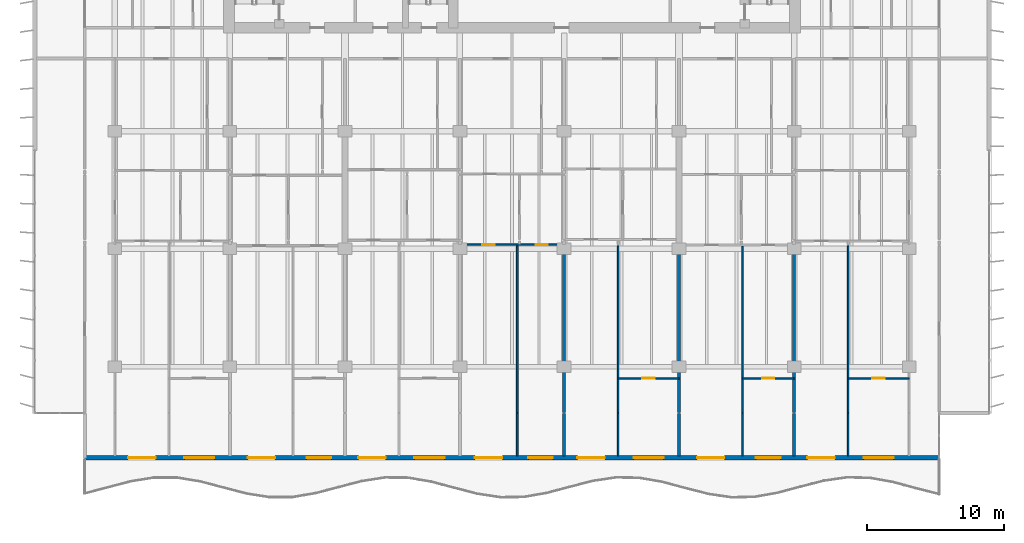
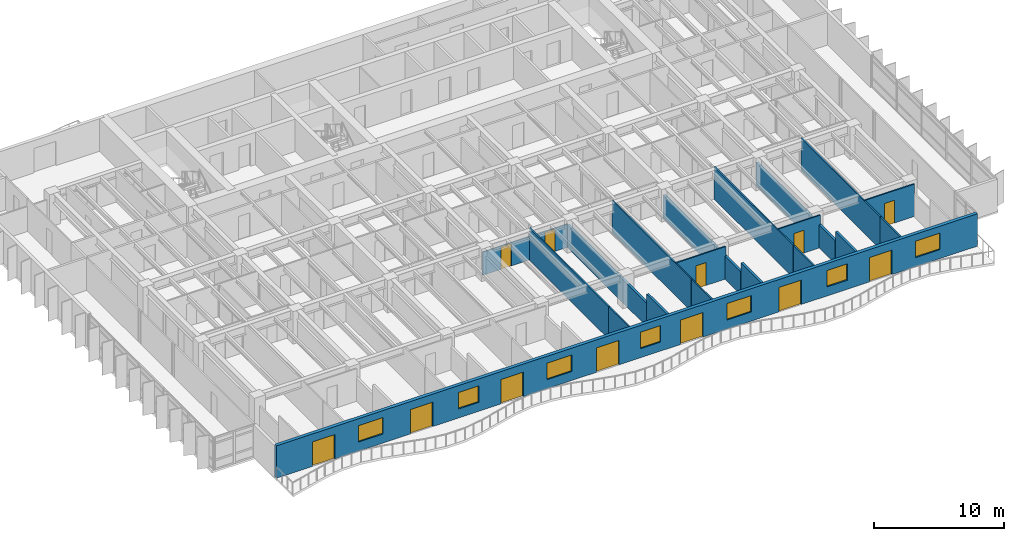
# One storey, part 8 of 18: 19 walls, 12 doors, 7 windows, 19 openings.
"""IFC4 building model written with IfcOpenShell, lengths in metres."""

from ifc_helpers import new_model, si_unit, direction, frame, frame_2d, origin, place, context, subcontext, project, spatial, rectangle, extrude, material, layer, layer_set, type_object, element, fill, save


model = new_model("IFC4")

# Units and contexts
model_context = context("Model", 3, precision=1e-05, world=origin(), true_north=direction((0.0, 1.0)))
body_context = subcontext(model_context, "Body", "Model", "MODEL_VIEW")
ifc_project = project(units=[si_unit("LENGTHUNIT", "METRE"), si_unit("AREAUNIT", "SQUARE_METRE"), si_unit("VOLUMEUNIT", "CUBIC_METRE"), si_unit("PLANEANGLEUNIT", "RADIAN"), si_unit("MASSUNIT", "GRAM", prefix="KILO")], contexts=[model_context])

# Site, building, storey
site_placement = place(None, origin())
site = spatial("IfcSite", under=ifc_project, at=site_placement, CompositionType="ELEMENT")
building_placement = place(site_placement, origin())
building = spatial("IfcBuilding", under=site, at=building_placement, Name="Caelmar Bay Residences", CompositionType="ELEMENT")
storey_placement = place(building_placement, frame((0.0, 0.0, 122.39990234375)))
storey = spatial("IfcBuildingStorey", under=building, at=storey_placement, Name="L33", CompositionType="ELEMENT", Elevation=122.39990234375)

# Wall, openings, doors, windows
ifc_material_1 = material(Name="Precast concrete f'c 40 MPa (6,000 psi)", Category="concrete")
ifc_layer_1 = layer(ifc_material_1, 0.300048828125)
ifc_layer_set_1 = layer_set([ifc_layer_1], Name="Precast concrete f'c 40 MPa (6,000 psi)")
wall_type_1 = type_object("IfcWallType", Name="W-EXT-300", PredefinedType="STANDARD", material=ifc_layer_set_1)
wall_1_placement = place(storey_placement, frame((70.10009765625, 5.550048828125, 0.0), z_axis=(0.0, 0.0, 1.0), x_axis=(-1.0, 0.0, 0.0)))
wall_1 = element("IfcWall", 1, at=wall_1_placement, inside=storey, type_object=wall_type_1, Name="L33 South Bayfront Exterior Wall", PredefinedType="STANDARD", context=body_context, shape_type="SweptSolid", body=[
    extrude(rectangle(XDim=62.400146484375, YDim=0.300048828125, at=frame_2d((31.2001953125, 0.0))), origin(), (0.0, 0.0, 1.0), 3.050048828125),
])
opening_1_placement = place(wall_1_placement, frame((57.22607421875, 0.0, 0.0)))
opening_1 = element("IfcOpeningElement", 2, at=opening_1_placement, cuts=wall_1, Name="Opening L33-BD01", PredefinedType="OPENING", context=body_context, shape_type="SweptSolid", body=[
    extrude(rectangle(XDim=2.0, YDim=2.300048828125, at=frame_2d((1.0, 1.14990234375))), frame((0.0, 0.159912109375, 0.0), z_axis=(0.0, -1.0, 0.0), x_axis=(1.0, 0.0, 0.0)), (0.0, 0.0, 1.0), 0.320068359375),
])
opening_2_placement = place(wall_1_placement, frame((52.926025390625, 0.0, 0.85009765625)))
opening_2 = element("IfcOpeningElement", 3, at=opening_2_placement, cuts=wall_1, Name="Opening WN2", PredefinedType="OPENING", context=body_context, shape_type="SweptSolid", body=[
    extrude(rectangle(XDim=2.199951171875, YDim=1.550048828125, at=frame_2d((1.10009765625, 0.77490234375))), frame((0.0, 0.159912109375, 0.0), z_axis=(0.0, -1.0, 0.0), x_axis=(1.0, 0.0, 0.0)), (0.0, 0.0, 1.0), 0.320068359375),
])
opening_3_placement = place(wall_1_placement, frame((48.489990234375, 0.0, 0.0)))
opening_3 = element("IfcOpeningElement", 4, at=opening_3_placement, cuts=wall_1, Name="Opening L33-BD02", PredefinedType="OPENING", context=body_context, shape_type="SweptSolid", body=[
    extrude(rectangle(XDim=2.0, YDim=2.300048828125, at=frame_2d((1.0, 1.14990234375))), frame((0.0, 0.159912109375, 0.0), z_axis=(0.0, -1.0, 0.0), x_axis=(1.0, 0.0, 0.0)), (0.0, 0.0, 1.0), 0.320068359375),
])
opening_4_placement = place(wall_1_placement, frame((44.389892578125, 0.0, 0.85009765625)))
opening_4 = element("IfcOpeningElement", 5, at=opening_4_placement, cuts=wall_1, Name="Opening WN1", PredefinedType="OPENING", context=body_context, shape_type="SweptSolid", body=[
    extrude(rectangle(XDim=1.800048828125, YDim=1.550048828125, at=frame_2d((0.89990234375, 0.77490234375))), frame((0.0, 0.159912109375, 0.0), z_axis=(0.0, -1.0, 0.0), x_axis=(1.0, 0.0, 0.0)), (0.0, 0.0, 1.0), 0.320068359375),
])
opening_5_placement = place(wall_1_placement, frame((40.426025390625, 0.0, 0.0)))
opening_5 = element("IfcOpeningElement", 6, at=opening_5_placement, cuts=wall_1, Name="Opening L33-BD03", PredefinedType="OPENING", context=body_context, shape_type="SweptSolid", body=[
    extrude(rectangle(XDim=2.0, YDim=2.300048828125, at=frame_2d((1.0, 1.14990234375))), frame((0.0, 0.159912109375, 0.0), z_axis=(0.0, -1.0, 0.0), x_axis=(1.0, 0.0, 0.0)), (0.0, 0.0, 1.0), 0.320068359375),
])
opening_6_placement = place(wall_1_placement, frame((36.1259765625, 0.0, 0.85009765625)))
opening_6 = element("IfcOpeningElement", 7, at=opening_6_placement, cuts=wall_1, Name="Opening WN2", PredefinedType="OPENING", context=body_context, shape_type="SweptSolid", body=[
    extrude(rectangle(XDim=2.199951171875, YDim=1.550048828125, at=frame_2d((1.10009765625, 0.77490234375))), frame((0.0, 0.159912109375, 0.0), z_axis=(0.0, -1.0, 0.0), x_axis=(1.0, 0.0, 0.0)), (0.0, 0.0, 1.0), 0.320068359375),
])
opening_7_placement = place(wall_1_placement, frame((31.909912109375, 0.0, 0.0)))
opening_7 = element("IfcOpeningElement", 8, at=opening_7_placement, cuts=wall_1, Name="Opening L33-BD04", PredefinedType="OPENING", context=body_context, shape_type="SweptSolid", body=[
    extrude(rectangle(XDim=2.0, YDim=2.300048828125, at=frame_2d((1.0, 1.14990234375))), frame((0.0, 0.159912109375, 0.0), z_axis=(0.0, -1.0, 0.0), x_axis=(1.0, 0.0, 0.0)), (0.0, 0.0, 1.0), 0.320068359375),
])
opening_8_placement = place(wall_1_placement, frame((28.2099609375, 0.0, 0.85009765625)))
opening_8 = element("IfcOpeningElement", 9, at=opening_8_placement, cuts=wall_1, Name="Opening WN1", PredefinedType="OPENING", context=body_context, shape_type="SweptSolid", body=[
    extrude(rectangle(XDim=1.800048828125, YDim=1.550048828125, at=frame_2d((0.89990234375, 0.77490234375))), frame((0.0, 0.159912109375, 0.0), z_axis=(0.0, -1.0, 0.0), x_axis=(1.0, 0.0, 0.0)), (0.0, 0.0, 1.0), 0.320068359375),
])
opening_9_placement = place(wall_1_placement, frame((24.426025390625, 0.0, 0.0)))
opening_9 = element("IfcOpeningElement", 10, at=opening_9_placement, cuts=wall_1, Name="Opening L33-BD05", PredefinedType="OPENING", context=body_context, shape_type="SweptSolid", body=[
    extrude(rectangle(XDim=2.0, YDim=2.300048828125, at=frame_2d((1.0, 1.14990234375))), frame((0.0, 0.159912109375, 0.0), z_axis=(0.0, -1.0, 0.0), x_axis=(1.0, 0.0, 0.0)), (0.0, 0.0, 1.0), 0.320068359375),
])
opening_10_placement = place(wall_1_placement, frame((20.1259765625, 0.0, 0.85009765625)))
opening_10 = element("IfcOpeningElement", 11, at=opening_10_placement, cuts=wall_1, Name="Opening WN2", PredefinedType="OPENING", context=body_context, shape_type="SweptSolid", body=[
    extrude(rectangle(XDim=2.199951171875, YDim=1.550048828125, at=frame_2d((1.10009765625, 0.77490234375))), frame((0.0, 0.159912109375, 0.0), z_axis=(0.0, -1.0, 0.0), x_axis=(1.0, 0.0, 0.0)), (0.0, 0.0, 1.0), 0.320068359375),
])
opening_11_placement = place(wall_1_placement, frame((15.68994140625, 0.0, 0.0)))
opening_11 = element("IfcOpeningElement", 12, at=opening_11_placement, cuts=wall_1, Name="Opening L33-BD06", PredefinedType="OPENING", context=body_context, shape_type="SweptSolid", body=[
    extrude(rectangle(XDim=2.0, YDim=2.300048828125, at=frame_2d((1.0, 1.14990234375))), frame((0.0, 0.159912109375, 0.0), z_axis=(0.0, -1.0, 0.0), x_axis=(1.0, 0.0, 0.0)), (0.0, 0.0, 1.0), 0.320068359375),
])
opening_12_placement = place(wall_1_placement, frame((11.590087890625, 0.0, 0.85009765625)))
opening_12 = element("IfcOpeningElement", 13, at=opening_12_placement, cuts=wall_1, Name="Opening WN1", PredefinedType="OPENING", context=body_context, shape_type="SweptSolid", body=[
    extrude(rectangle(XDim=1.800048828125, YDim=1.550048828125, at=frame_2d((0.89990234375, 0.77490234375))), frame((0.0, 0.159912109375, 0.0), z_axis=(0.0, -1.0, 0.0), x_axis=(1.0, 0.0, 0.0)), (0.0, 0.0, 1.0), 0.320068359375),
])
opening_13_placement = place(wall_1_placement, frame((7.6259765625, 0.0, 0.0)))
opening_13 = element("IfcOpeningElement", 14, at=opening_13_placement, cuts=wall_1, Name="Opening L33-BD07", PredefinedType="OPENING", context=body_context, shape_type="SweptSolid", body=[
    extrude(rectangle(XDim=2.0, YDim=2.300048828125, at=frame_2d((1.0, 1.14990234375))), frame((0.0, 0.159912109375, 0.0), z_axis=(0.0, -1.0, 0.0), x_axis=(1.0, 0.0, 0.0)), (0.0, 0.0, 1.0), 0.320068359375),
])
opening_14_placement = place(wall_1_placement, frame((3.325927734375, 0.0, 0.85009765625)))
opening_14 = element("IfcOpeningElement", 15, at=opening_14_placement, cuts=wall_1, Name="Opening WN2", PredefinedType="OPENING", context=body_context, shape_type="SweptSolid", body=[
    extrude(rectangle(XDim=2.199951171875, YDim=1.550048828125, at=frame_2d((1.10009765625, 0.77490234375))), frame((0.0, 0.159912109375, 0.0), z_axis=(0.0, -1.0, 0.0), x_axis=(1.0, 0.0, 0.0)), (0.0, 0.0, 1.0), 0.320068359375),
])
ifc_material_2 = material(Name="Anodised bronze thermally broken sliding glass door", Category="glass")
ifc_layer_2 = layer(ifc_material_2, 0.050048828125)
ifc_layer_set_2 = layer_set([ifc_layer_2], Name="Anodised bronze thermally broken sliding glass door")
door_type_1 = type_object("IfcDoorType", Name="D-BAL-2000", OperationType="DOUBLE_DOOR_SLIDING", PredefinedType="DOOR", material=ifc_layer_set_2)
door_1_placement = place(opening_1_placement, origin())
door_1 = element("IfcDoor", 16, at=door_1_placement, inside=storey, type_object=door_type_1, Name="L33 Residence 01 Living Room Balcony Door", OperationType="DOUBLE_DOOR_SLIDING", OverallHeight=2.300048828125, OverallWidth=2.0, PredefinedType="DOOR", context=body_context, shape_type="SweptSolid", body=[
    extrude(rectangle(XDim=2.0, YDim=2.300048828125, at=frame_2d((1.0, 1.14990234375))), frame((0.0, 0.02490234375, 0.0), z_axis=(0.0, -1.0, 0.0), x_axis=(1.0, 0.0, 0.0)), (0.0, 0.0, 1.0), 0.050048828125),
])
fill(opening_1, door_1)
door_2_placement = place(opening_3_placement, origin())
door_2 = element("IfcDoor", 17, at=door_2_placement, inside=storey, type_object=door_type_1, Name="L33 Residence 02 Living Room Balcony Door", OperationType="DOUBLE_DOOR_SLIDING", OverallHeight=2.300048828125, OverallWidth=2.0, PredefinedType="DOOR", context=body_context, shape_type="SweptSolid", body=[
    extrude(rectangle(XDim=2.0, YDim=2.300048828125, at=frame_2d((1.0, 1.14990234375))), frame((0.0, 0.02490234375, 0.0), z_axis=(0.0, -1.0, 0.0), x_axis=(1.0, 0.0, 0.0)), (0.0, 0.0, 1.0), 0.050048828125),
])
fill(opening_3, door_2)
door_3_placement = place(opening_5_placement, origin())
door_3 = element("IfcDoor", 18, at=door_3_placement, inside=storey, type_object=door_type_1, Name="L33 Residence 03 Living Room Balcony Door", OperationType="DOUBLE_DOOR_SLIDING", OverallHeight=2.300048828125, OverallWidth=2.0, PredefinedType="DOOR", context=body_context, shape_type="SweptSolid", body=[
    extrude(rectangle(XDim=2.0, YDim=2.300048828125, at=frame_2d((1.0, 1.14990234375))), frame((0.0, 0.02490234375, 0.0), z_axis=(0.0, -1.0, 0.0), x_axis=(1.0, 0.0, 0.0)), (0.0, 0.0, 1.0), 0.050048828125),
])
fill(opening_5, door_3)
door_4_placement = place(opening_7_placement, origin())
door_4 = element("IfcDoor", 19, at=door_4_placement, inside=storey, type_object=door_type_1, Name="L33 Residence 04 Living Room Balcony Door", OperationType="DOUBLE_DOOR_SLIDING", OverallHeight=2.300048828125, OverallWidth=2.0, PredefinedType="DOOR", context=body_context, shape_type="SweptSolid", body=[
    extrude(rectangle(XDim=2.0, YDim=2.300048828125, at=frame_2d((1.0, 1.14990234375))), frame((0.0, 0.02490234375, 0.0), z_axis=(0.0, -1.0, 0.0), x_axis=(1.0, 0.0, 0.0)), (0.0, 0.0, 1.0), 0.050048828125),
])
fill(opening_7, door_4)
door_5_placement = place(opening_9_placement, origin())
door_5 = element("IfcDoor", 20, at=door_5_placement, inside=storey, type_object=door_type_1, Name="L33 Residence 05 Living Room Balcony Door", OperationType="DOUBLE_DOOR_SLIDING", OverallHeight=2.300048828125, OverallWidth=2.0, PredefinedType="DOOR", context=body_context, shape_type="SweptSolid", body=[
    extrude(rectangle(XDim=2.0, YDim=2.300048828125, at=frame_2d((1.0, 1.14990234375))), frame((0.0, 0.02490234375, 0.0), z_axis=(0.0, -1.0, 0.0), x_axis=(1.0, 0.0, 0.0)), (0.0, 0.0, 1.0), 0.050048828125),
])
fill(opening_9, door_5)
door_6_placement = place(opening_11_placement, origin())
door_6 = element("IfcDoor", 21, at=door_6_placement, inside=storey, type_object=door_type_1, Name="L33 Residence 06 Living Room Balcony Door", OperationType="DOUBLE_DOOR_SLIDING", OverallHeight=2.300048828125, OverallWidth=2.0, PredefinedType="DOOR", context=body_context, shape_type="SweptSolid", body=[
    extrude(rectangle(XDim=2.0, YDim=2.300048828125, at=frame_2d((1.0, 1.14990234375))), frame((0.0, 0.02490234375, 0.0), z_axis=(0.0, -1.0, 0.0), x_axis=(1.0, 0.0, 0.0)), (0.0, 0.0, 1.0), 0.050048828125),
])
fill(opening_11, door_6)
door_7_placement = place(opening_13_placement, origin())
door_7 = element("IfcDoor", 22, at=door_7_placement, inside=storey, type_object=door_type_1, Name="L33 Residence 07 Living Room Balcony Door", OperationType="DOUBLE_DOOR_SLIDING", OverallHeight=2.300048828125, OverallWidth=2.0, PredefinedType="DOOR", context=body_context, shape_type="SweptSolid", body=[
    extrude(rectangle(XDim=2.0, YDim=2.300048828125, at=frame_2d((1.0, 1.14990234375))), frame((0.0, 0.02490234375, 0.0), z_axis=(0.0, -1.0, 0.0), x_axis=(1.0, 0.0, 0.0)), (0.0, 0.0, 1.0), 0.050048828125),
])
fill(opening_13, door_7)
ifc_material_3 = material(Name="Bronze aluminium frame with laminated low-E glass", Category="aluminium")
ifc_layer_3 = layer(ifc_material_3, 0.06005859375)
ifc_layer_set_3 = layer_set([ifc_layer_3], Name="Bronze aluminium frame with laminated low-E glass")
window_type_1 = type_object("IfcWindowType", Name="WIN-BR-1800", PartitioningType="SINGLE_PANEL", PredefinedType="WINDOW", material=ifc_layer_set_3)
window_1_placement = place(opening_4_placement, origin())
window_1 = element("IfcWindow", 23, at=window_1_placement, inside=storey, type_object=window_type_1, Name="L33 Residence 02 Primary Bedroom Window", OverallHeight=1.550048828125, OverallWidth=1.800048828125, PartitioningType="SINGLE_PANEL", PredefinedType="WINDOW", context=body_context, shape_type="SweptSolid", body=[
    extrude(rectangle(XDim=1.800048828125, YDim=1.550048828125, at=frame_2d((0.89990234375, 0.77490234375))), frame((0.0, 0.030029296875, 0.0), z_axis=(0.0, -1.0, 0.0), x_axis=(1.0, 0.0, 0.0)), (0.0, 0.0, 1.0), 0.06005859375),
])
fill(opening_4, window_1)
window_2_placement = place(opening_8_placement, origin())
window_2 = element("IfcWindow", 24, at=window_2_placement, inside=storey, type_object=window_type_1, Name="L33 Residence 04 Primary Bedroom Window", OverallHeight=1.550048828125, OverallWidth=1.800048828125, PartitioningType="SINGLE_PANEL", PredefinedType="WINDOW", context=body_context, shape_type="SweptSolid", body=[
    extrude(rectangle(XDim=1.800048828125, YDim=1.550048828125, at=frame_2d((0.89990234375, 0.77490234375))), frame((0.0, 0.030029296875, 0.0), z_axis=(0.0, -1.0, 0.0), x_axis=(1.0, 0.0, 0.0)), (0.0, 0.0, 1.0), 0.06005859375),
])
fill(opening_8, window_2)
window_3_placement = place(opening_12_placement, origin())
window_3 = element("IfcWindow", 25, at=window_3_placement, inside=storey, type_object=window_type_1, Name="L33 Residence 06 Primary Bedroom Window", OverallHeight=1.550048828125, OverallWidth=1.800048828125, PartitioningType="SINGLE_PANEL", PredefinedType="WINDOW", context=body_context, shape_type="SweptSolid", body=[
    extrude(rectangle(XDim=1.800048828125, YDim=1.550048828125, at=frame_2d((0.89990234375, 0.77490234375))), frame((0.0, 0.030029296875, 0.0), z_axis=(0.0, -1.0, 0.0), x_axis=(1.0, 0.0, 0.0)), (0.0, 0.0, 1.0), 0.06005859375),
])
fill(opening_12, window_3)
ifc_layer_4 = layer(ifc_material_3, 0.06005859375)
ifc_layer_set_4 = layer_set([ifc_layer_4], Name="Bronze aluminium frame with laminated low-E glass")
window_type_2 = type_object("IfcWindowType", Name="WIN-BR-2200", PartitioningType="SINGLE_PANEL", PredefinedType="WINDOW", material=ifc_layer_set_4)
window_4_placement = place(opening_2_placement, origin())
window_4 = element("IfcWindow", 26, at=window_4_placement, inside=storey, type_object=window_type_2, Name="L33 Residence 01 Primary Bedroom Window", OverallHeight=1.550048828125, OverallWidth=2.199951171875, PartitioningType="SINGLE_PANEL", PredefinedType="WINDOW", context=body_context, shape_type="SweptSolid", body=[
    extrude(rectangle(XDim=2.199951171875, YDim=1.550048828125, at=frame_2d((1.10009765625, 0.77490234375))), frame((0.0, 0.030029296875, 0.0), z_axis=(0.0, -1.0, 0.0), x_axis=(1.0, 0.0, 0.0)), (0.0, 0.0, 1.0), 0.06005859375),
])
fill(opening_2, window_4)
window_5_placement = place(opening_6_placement, origin())
window_5 = element("IfcWindow", 27, at=window_5_placement, inside=storey, type_object=window_type_2, Name="L33 Residence 03 Primary Bedroom Window", OverallHeight=1.550048828125, OverallWidth=2.199951171875, PartitioningType="SINGLE_PANEL", PredefinedType="WINDOW", context=body_context, shape_type="SweptSolid", body=[
    extrude(rectangle(XDim=2.199951171875, YDim=1.550048828125, at=frame_2d((1.10009765625, 0.77490234375))), frame((0.0, 0.030029296875, 0.0), z_axis=(0.0, -1.0, 0.0), x_axis=(1.0, 0.0, 0.0)), (0.0, 0.0, 1.0), 0.06005859375),
])
fill(opening_6, window_5)
window_6_placement = place(opening_10_placement, origin())
window_6 = element("IfcWindow", 28, at=window_6_placement, inside=storey, type_object=window_type_2, Name="L33 Residence 05 Primary Bedroom Window", OverallHeight=1.550048828125, OverallWidth=2.199951171875, PartitioningType="SINGLE_PANEL", PredefinedType="WINDOW", context=body_context, shape_type="SweptSolid", body=[
    extrude(rectangle(XDim=2.199951171875, YDim=1.550048828125, at=frame_2d((1.10009765625, 0.77490234375))), frame((0.0, 0.030029296875, 0.0), z_axis=(0.0, -1.0, 0.0), x_axis=(1.0, 0.0, 0.0)), (0.0, 0.0, 1.0), 0.06005859375),
])
fill(opening_10, window_6)
window_7_placement = place(opening_14_placement, origin())
window_7 = element("IfcWindow", 29, at=window_7_placement, inside=storey, type_object=window_type_2, Name="L33 Residence 07 Primary Bedroom Window", OverallHeight=1.550048828125, OverallWidth=2.199951171875, PartitioningType="SINGLE_PANEL", PredefinedType="WINDOW", context=body_context, shape_type="SweptSolid", body=[
    extrude(rectangle(XDim=2.199951171875, YDim=1.550048828125, at=frame_2d((1.10009765625, 0.77490234375))), frame((0.0, 0.030029296875, 0.0), z_axis=(0.0, -1.0, 0.0), x_axis=(1.0, 0.0, 0.0)), (0.0, 0.0, 1.0), 0.06005859375),
])
fill(opening_14, window_7)

# Walls
ifc_material_4 = material(Name="Acoustic metal-stud gypsum partition 120 mm")
ifc_layer_5 = layer(ifc_material_4, 0.1201171875)
ifc_layer_set_5 = layer_set([ifc_layer_5], Name="Acoustic metal-stud gypsum partition 120 mm")
wall_type_2 = type_object("IfcWallType", Name="W-PRT-120", PredefinedType="PARTITIONING", material=ifc_layer_set_5)
wall_2_placement = place(storey_placement, frame((39.280029296875, 5.695068359375, 0.0), z_axis=(0.0, 0.0, 1.0), x_axis=(0.0, 1.0, 0.0)))
element("IfcWall", 30, at=wall_2_placement, inside=storey, type_object=wall_type_2, Name="L33 Partition Wall V056", PredefinedType="PARTITIONING", context=body_context, shape_type="SweptSolid", body=[
    extrude(rectangle(XDim=3.10498046875, YDim=0.1201171875, at=frame_2d((1.552490234375, 0.0))), origin(), (0.0, 0.0, 1.0), 3.050048828125),
])
wall_3_placement = place(storey_placement, frame((39.280029296875, 8.840087890625, 0.0), z_axis=(0.0, 0.0, 1.0), x_axis=(0.0, 1.0, 0.0)))
element("IfcWall", 31, at=wall_3_placement, inside=storey, type_object=wall_type_2, Name="L33 Partition Wall V057", PredefinedType="PARTITIONING", context=body_context, shape_type="SweptSolid", body=[
    extrude(rectangle(XDim=12.18994140625, YDim=0.1201171875, at=frame_2d((6.094970703125, 0.0))), origin(), (0.0, 0.0, 1.0), 3.050048828125),
])
wall_4_placement = place(storey_placement, frame((46.64794921875, 5.695068359375, 0.0), z_axis=(0.0, 0.0, 1.0), x_axis=(0.0, 1.0, 0.0)))
element("IfcWall", 32, at=wall_4_placement, inside=storey, type_object=wall_type_2, Name="L33 Partition Wall V072", PredefinedType="PARTITIONING", context=body_context, shape_type="SweptSolid", body=[
    extrude(rectangle(XDim=3.10498046875, YDim=0.1201171875, at=frame_2d((1.552490234375, 0.0))), origin(), (0.0, 0.0, 1.0), 3.050048828125),
])
wall_5_placement = place(storey_placement, frame((46.64794921875, 8.840087890625, 0.0), z_axis=(0.0, 0.0, 1.0), x_axis=(0.0, 1.0, 0.0)))
element("IfcWall", 33, at=wall_5_placement, inside=storey, type_object=wall_type_2, Name="L33 Partition Wall V073", PredefinedType="PARTITIONING", context=body_context, shape_type="SweptSolid", body=[
    extrude(rectangle(XDim=12.18994140625, YDim=0.1201171875, at=frame_2d((6.094970703125, 0.0))), origin(), (0.0, 0.0, 1.0), 3.050048828125),
])
wall_6_placement = place(storey_placement, frame((55.719970703125, 5.695068359375, 0.0), z_axis=(0.0, 0.0, 1.0), x_axis=(0.0, 1.0, 0.0)))
element("IfcWall", 34, at=wall_6_placement, inside=storey, type_object=wall_type_2, Name="L33 Partition Wall V088", PredefinedType="PARTITIONING", context=body_context, shape_type="SweptSolid", body=[
    extrude(rectangle(XDim=3.10498046875, YDim=0.1201171875, at=frame_2d((1.552490234375, 0.0))), origin(), (0.0, 0.0, 1.0), 3.050048828125),
])
wall_7_placement = place(storey_placement, frame((55.719970703125, 8.840087890625, 0.0), z_axis=(0.0, 0.0, 1.0), x_axis=(0.0, 1.0, 0.0)))
element("IfcWall", 35, at=wall_7_placement, inside=storey, type_object=wall_type_2, Name="L33 Partition Wall V089", PredefinedType="PARTITIONING", context=body_context, shape_type="SweptSolid", body=[
    extrude(rectangle(XDim=12.18994140625, YDim=0.1201171875, at=frame_2d((6.094970703125, 0.0))), origin(), (0.0, 0.0, 1.0), 3.050048828125),
])
wall_8_placement = place(storey_placement, frame((63.447998046875, 5.695068359375, 0.0), z_axis=(0.0, 0.0, 1.0), x_axis=(0.0, 1.0, 0.0)))
element("IfcWall", 36, at=wall_8_placement, inside=storey, type_object=wall_type_2, Name="L33 Partition Wall V100", PredefinedType="PARTITIONING", context=body_context, shape_type="SweptSolid", body=[
    extrude(rectangle(XDim=3.10498046875, YDim=0.1201171875, at=frame_2d((1.552490234375, 0.0))), origin(), (0.0, 0.0, 1.0), 3.050048828125),
])
wall_9_placement = place(storey_placement, frame((63.447998046875, 8.840087890625, 0.0), z_axis=(0.0, 0.0, 1.0), x_axis=(0.0, 1.0, 0.0)))
element("IfcWall", 37, at=wall_9_placement, inside=storey, type_object=wall_type_2, Name="L33 Partition Wall V101", PredefinedType="PARTITIONING", context=body_context, shape_type="SweptSolid", body=[
    extrude(rectangle(XDim=12.18994140625, YDim=0.1201171875, at=frame_2d((6.094970703125, 0.0))), origin(), (0.0, 0.0, 1.0), 3.050048828125),
])

# Wall, opening, door
wall_10_placement = place(storey_placement, frame((46.64794921875, 11.35009765625, 0.0), z_axis=(0.0, 0.0, 1.0), x_axis=(1.0, 0.0, 0.0)))
wall_10 = element("IfcWall", 38, at=wall_10_placement, inside=storey, type_object=wall_type_2, Name="L33 Partition Wall H124", PredefinedType="PARTITIONING", context=body_context, shape_type="SweptSolid", body=[
    extrude(rectangle(XDim=4.4521484375, YDim=0.1201171875, at=frame_2d((2.22607421875, 0.0))), origin(), (0.0, 0.0, 1.0), 3.050048828125),
])
opening_15_placement = place(wall_10_placement, frame((1.77587890625, 0.0, 0.0)))
opening_15 = element("IfcOpeningElement", 39, at=opening_15_placement, cuts=wall_10, Name="Opening D-L33-156", PredefinedType="OPENING", context=body_context, shape_type="SweptSolid", body=[
    extrude(rectangle(XDim=0.89990234375, YDim=2.14990234375, at=frame_2d((0.449951171875, 1.074951171875))), frame((0.0, 0.070068359375, 0.0), z_axis=(0.0, -1.0, 0.0), x_axis=(1.0, 0.0, 0.0)), (0.0, 0.0, 1.0), 0.14013671875),
])
ifc_material_5 = material(Name="Solid walnut timber interior door leaf and frame", Category="wood")
ifc_layer_6 = layer(ifc_material_5, 0.050048828125)
ifc_layer_set_6 = layer_set([ifc_layer_6], Name="Solid walnut timber interior door leaf and frame")
door_type_2 = type_object("IfcDoorType", Name="D-ROOM-900", OperationType="NOTDEFINED", PredefinedType="DOOR", material=ifc_layer_set_6)
door_8_placement = place(opening_15_placement, origin())
door_8 = element("IfcDoor", 40, at=door_8_placement, inside=storey, type_object=door_type_2, Name="L33 Residence 05 Primary Bedroom Door", OperationType="SINGLE_SWING_RIGHT", OverallHeight=2.14990234375, OverallWidth=0.89990234375, PredefinedType="DOOR", context=body_context, shape_type="SweptSolid", body=[
    extrude(rectangle(XDim=0.89990234375, YDim=2.14990234375, at=frame_2d((0.449951171875, 1.074951171875))), frame((0.0, 0.02490234375, 0.0), z_axis=(0.0, -1.0, 0.0), x_axis=(1.0, 0.0, 0.0)), (0.0, 0.0, 1.0), 0.050048828125),
])
fill(opening_15, door_8)

wall_11_placement = place(storey_placement, frame((55.719970703125, 11.35009765625, 0.0), z_axis=(0.0, 0.0, 1.0), x_axis=(1.0, 0.0, 0.0)))
wall_11 = element("IfcWall", 41, at=wall_11_placement, inside=storey, type_object=wall_type_2, Name="L33 Partition Wall H125", PredefinedType="PARTITIONING", context=body_context, shape_type="SweptSolid", body=[
    extrude(rectangle(XDim=3.780029296875, YDim=0.1201171875, at=frame_2d((1.89013671875, 0.0))), origin(), (0.0, 0.0, 1.0), 3.050048828125),
])
opening_16_placement = place(wall_11_placement, frame((1.43994140625, 0.0, 0.0)))
opening_16 = element("IfcOpeningElement", 42, at=opening_16_placement, cuts=wall_11, Name="Opening D-L33-163", PredefinedType="OPENING", context=body_context, shape_type="SweptSolid", body=[
    extrude(rectangle(XDim=0.89990234375, YDim=2.14990234375, at=frame_2d((0.449951171875, 1.074951171875))), frame((0.0, 0.070068359375, 0.0), z_axis=(0.0, -1.0, 0.0), x_axis=(1.0, 0.0, 0.0)), (0.0, 0.0, 1.0), 0.14013671875),
])
door_9_placement = place(opening_16_placement, origin())
door_9 = element("IfcDoor", 43, at=door_9_placement, inside=storey, type_object=door_type_2, Name="L33 Residence 06 Primary Bedroom Door", OperationType="SINGLE_SWING_LEFT", OverallHeight=2.14990234375, OverallWidth=0.89990234375, PredefinedType="DOOR", context=body_context, shape_type="SweptSolid", body=[
    extrude(rectangle(XDim=0.89990234375, YDim=2.14990234375, at=frame_2d((0.449951171875, 1.074951171875))), frame((0.0, 0.02490234375, 0.0), z_axis=(0.0, -1.0, 0.0), x_axis=(1.0, 0.0, 0.0)), (0.0, 0.0, 1.0), 0.050048828125),
])
fill(opening_16, door_9)

wall_12_placement = place(storey_placement, frame((63.447998046875, 11.35009765625, 0.0), z_axis=(0.0, 0.0, 1.0), x_axis=(1.0, 0.0, 0.0)))
wall_12 = element("IfcWall", 44, at=wall_12_placement, inside=storey, type_object=wall_type_2, Name="L33 Partition Wall H126", PredefinedType="PARTITIONING", context=body_context, shape_type="SweptSolid", body=[
    extrude(rectangle(XDim=4.451904296875, YDim=0.1201171875, at=frame_2d((2.22607421875, 0.0))), origin(), (0.0, 0.0, 1.0), 3.050048828125),
])
opening_17_placement = place(wall_12_placement, frame((1.77587890625, 0.0, 0.0)))
opening_17 = element("IfcOpeningElement", 45, at=opening_17_placement, cuts=wall_12, Name="Opening D-L33-170", PredefinedType="OPENING", context=body_context, shape_type="SweptSolid", body=[
    extrude(rectangle(XDim=0.89990234375, YDim=2.14990234375, at=frame_2d((0.449951171875, 1.074951171875))), frame((0.0, 0.070068359375, 0.0), z_axis=(0.0, -1.0, 0.0), x_axis=(1.0, 0.0, 0.0)), (0.0, 0.0, 1.0), 0.14013671875),
])
door_10_placement = place(opening_17_placement, origin())
door_10 = element("IfcDoor", 46, at=door_10_placement, inside=storey, type_object=door_type_2, Name="L33 Residence 07 Primary Bedroom Door", OperationType="SINGLE_SWING_RIGHT", OverallHeight=2.14990234375, OverallWidth=0.89990234375, PredefinedType="DOOR", context=body_context, shape_type="SweptSolid", body=[
    extrude(rectangle(XDim=0.89990234375, YDim=2.14990234375, at=frame_2d((0.449951171875, 1.074951171875))), frame((0.0, 0.02490234375, 0.0), z_axis=(0.0, -1.0, 0.0), x_axis=(1.0, 0.0, 0.0)), (0.0, 0.0, 1.0), 0.050048828125),
])
fill(opening_17, door_10)

# Wall, openings, doors
wall_13_placement = place(storey_placement, frame((35.10009765625, 21.1298828125, 0.0), z_axis=(0.0, 0.0, 1.0), x_axis=(1.0, 0.0, 0.0)))
wall_13 = element("IfcWall", 47, at=wall_13_placement, inside=storey, type_object=wall_type_2, Name="L33 Partition Wall H129", PredefinedType="PARTITIONING", context=body_context, shape_type="SweptSolid", body=[
    extrude(rectangle(XDim=7.599853515625, YDim=0.1201171875, at=frame_2d((3.7998046875, 0.0))), origin(), (0.0, 0.0, 1.0), 2.174072265625),
])
opening_18_placement = place(wall_13_placement, frame((1.639892578125, 0.0, 0.0)))
opening_18 = element("IfcOpeningElement", 48, at=opening_18_placement, cuts=wall_13, Name="Opening D-L33-148", PredefinedType="OPENING", context=body_context, shape_type="SweptSolid", body=[
    extrude(rectangle(XDim=0.89990234375, YDim=2.1240234375, at=frame_2d((0.449951171875, 1.06201171875))), frame((0.0, 0.070068359375, 0.0), z_axis=(0.0, -1.0, 0.0), x_axis=(1.0, 0.0, 0.0)), (0.0, 0.0, 1.0), 0.14013671875),
])
opening_19_placement = place(wall_13_placement, frame((5.527099609375, 0.0, 0.0)))
opening_19 = element("IfcOpeningElement", 49, at=opening_19_placement, cuts=wall_13, Name="Opening D-L33-149", PredefinedType="OPENING", context=body_context, shape_type="SweptSolid", body=[
    extrude(rectangle(XDim=0.89990234375, YDim=2.1240234375, at=frame_2d((0.449951171875, 1.06201171875))), frame((0.0, 0.070068359375, 0.0), z_axis=(0.0, -1.0, 0.0), x_axis=(1.0, 0.0, 0.0)), (0.0, 0.0, 1.0), 0.14013671875),
])
door_11_placement = place(opening_18_placement, origin())
door_11 = element("IfcDoor", 50, at=door_11_placement, inside=storey, type_object=door_type_2, Name="L33 Residence 04 Living Room Door", OperationType="SINGLE_SWING_RIGHT", OverallHeight=2.1240234375, OverallWidth=0.89990234375, PredefinedType="DOOR", context=body_context, shape_type="SweptSolid", body=[
    extrude(rectangle(XDim=0.89990234375, YDim=2.1240234375, at=frame_2d((0.449951171875, 1.06201171875))), frame((0.0, 0.02490234375, 0.0), z_axis=(0.0, -1.0, 0.0), x_axis=(1.0, 0.0, 0.0)), (0.0, 0.0, 1.0), 0.050048828125),
])
fill(opening_18, door_11)
door_12_placement = place(opening_19_placement, origin())
door_12 = element("IfcDoor", 51, at=door_12_placement, inside=storey, type_object=door_type_2, Name="L33 Residence 04 Primary Bedroom Door", OperationType="SINGLE_SWING_LEFT", OverallHeight=2.1240234375, OverallWidth=0.89990234375, PredefinedType="DOOR", context=body_context, shape_type="SweptSolid", body=[
    extrude(rectangle(XDim=0.89990234375, YDim=2.1240234375, at=frame_2d((0.449951171875, 1.06201171875))), frame((0.0, 0.02490234375, 0.0), z_axis=(0.0, -1.0, 0.0), x_axis=(1.0, 0.0, 0.0)), (0.0, 0.0, 1.0), 0.050048828125),
])
fill(opening_19, door_12)

# Walls
ifc_material_6 = material(Name="Acoustic twin-stud fire-rated inter-tenancy partition 200 mm")
ifc_layer_7 = layer(ifc_material_6, 0.199951171875)
ifc_layer_set_7 = layer_set([ifc_layer_7], Name="Acoustic twin-stud fire-rated inter-tenancy partition 200 mm")
wall_type_3 = type_object("IfcWallType", Name="W-PTY-200", PredefinedType="PARTITIONING", material=ifc_layer_set_7)
wall_14_placement = place(storey_placement, frame((42.699951171875, 5.695068359375, 0.0), z_axis=(0.0, 0.0, 1.0), x_axis=(0.0, 1.0, 0.0)))
element("IfcWall", 52, at=wall_14_placement, inside=storey, type_object=wall_type_3, Name="L33 Partition Wall V063", PredefinedType="PARTITIONING", context=body_context, shape_type="SweptSolid", body=[
    extrude(rectangle(XDim=3.10498046875, YDim=0.199951171875, at=frame_2d((1.552490234375, 0.0))), origin(), (0.0, 0.0, 1.0), 3.050048828125),
])
wall_15_placement = place(storey_placement, frame((42.699951171875, 8.840087890625, 0.0), z_axis=(0.0, 0.0, 1.0), x_axis=(0.0, 1.0, 0.0)))
element("IfcWall", 53, at=wall_15_placement, inside=storey, type_object=wall_type_3, Name="L33 Partition Wall V064", PredefinedType="PARTITIONING", context=body_context, shape_type="SweptSolid", body=[
    extrude(rectangle(XDim=12.18994140625, YDim=0.199951171875, at=frame_2d((6.094970703125, 0.0))), origin(), (0.0, 0.0, 1.0), 2.174072265625),
])
wall_16_placement = place(storey_placement, frame((51.10009765625, 5.695068359375, 0.0), z_axis=(0.0, 0.0, 1.0), x_axis=(0.0, 1.0, 0.0)))
element("IfcWall", 54, at=wall_16_placement, inside=storey, type_object=wall_type_3, Name="L33 Partition Wall V082", PredefinedType="PARTITIONING", context=body_context, shape_type="SweptSolid", body=[
    extrude(rectangle(XDim=3.10498046875, YDim=0.199951171875, at=frame_2d((1.552490234375, 0.0))), origin(), (0.0, 0.0, 1.0), 3.050048828125),
])
wall_17_placement = place(storey_placement, frame((51.10009765625, 8.840087890625, 0.0), z_axis=(0.0, 0.0, 1.0), x_axis=(0.0, 1.0, 0.0)))
element("IfcWall", 55, at=wall_17_placement, inside=storey, type_object=wall_type_3, Name="L33 Partition Wall V083", PredefinedType="PARTITIONING", context=body_context, shape_type="SweptSolid", body=[
    extrude(rectangle(XDim=11.954833984375, YDim=0.199951171875, at=frame_2d((5.9775390625, 0.0))), origin(), (0.0, 0.0, 1.0), 2.174072265625),
])
wall_18_placement = place(storey_placement, frame((59.5, 5.695068359375, 0.0), z_axis=(0.0, 0.0, 1.0), x_axis=(0.0, 1.0, 0.0)))
element("IfcWall", 56, at=wall_18_placement, inside=storey, type_object=wall_type_3, Name="L33 Partition Wall V093", PredefinedType="PARTITIONING", context=body_context, shape_type="SweptSolid", body=[
    extrude(rectangle(XDim=3.10498046875, YDim=0.199951171875, at=frame_2d((1.552490234375, 0.0))), origin(), (0.0, 0.0, 1.0), 3.050048828125),
])
wall_19_placement = place(storey_placement, frame((59.5, 8.840087890625, 0.0), z_axis=(0.0, 0.0, 1.0), x_axis=(0.0, 1.0, 0.0)))
element("IfcWall", 57, at=wall_19_placement, inside=storey, type_object=wall_type_3, Name="L33 Partition Wall V094", PredefinedType="PARTITIONING", context=body_context, shape_type="SweptSolid", body=[
    extrude(rectangle(XDim=12.18994140625, YDim=0.199951171875, at=frame_2d((6.094970703125, 0.0))), origin(), (0.0, 0.0, 1.0), 2.174072265625),
])

save(model, "model.ifc")
